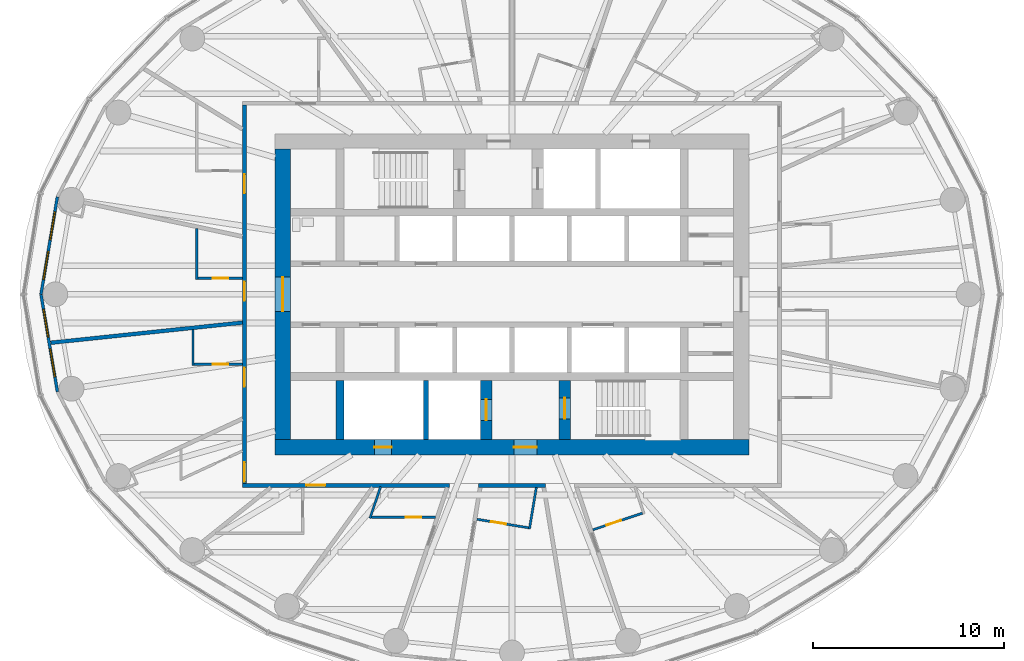
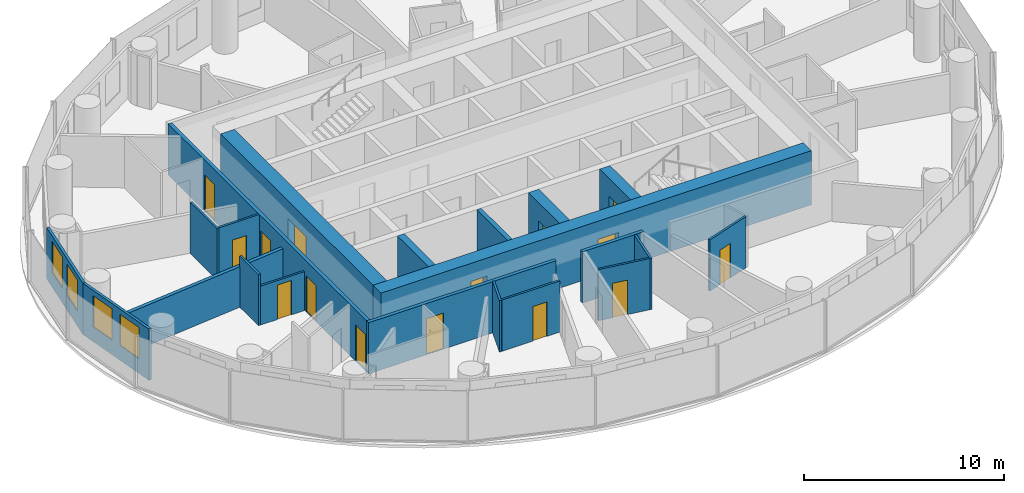
# One storey, part 7 of 14: 21 walls, 15 doors, 4 windows, 19 openings.
"""IFC4 building model written with IfcOpenShell, lengths in metres."""

from ifc_helpers import new_model, si_unit, direction, frame, frame_2d, origin, place, context, subcontext, project, spatial, rectangle, extrude, material, layer, layer_set, type_object, element, fill, save


model = new_model("IFC4")

# Units and contexts
model_context = context("Model", 3, precision=1e-05, world=origin(), true_north=direction((0.0, 1.0)))
body_context = subcontext(model_context, "Body", "Model", "MODEL_VIEW")
ifc_project = project(units=[si_unit("LENGTHUNIT", "METRE"), si_unit("AREAUNIT", "SQUARE_METRE"), si_unit("VOLUMEUNIT", "CUBIC_METRE"), si_unit("PLANEANGLEUNIT", "RADIAN"), si_unit("MASSUNIT", "GRAM", prefix="KILO")], contexts=[model_context])

# Site, building, storey
site_placement = place(None, origin())
site = spatial("IfcSite", under=ifc_project, at=site_placement, CompositionType="ELEMENT")
building_placement = place(site_placement, origin())
building = spatial("IfcBuilding", under=site, at=building_placement, Name="Hankou Lantern Tower", CompositionType="ELEMENT")
storey_placement = place(building_placement, frame((0.0, 0.0, 108.89990234375)))
storey = spatial("IfcBuildingStorey", under=building, at=storey_placement, Name="L27", CompositionType="ELEMENT", Elevation=108.89990234375)

# Wall, openings, doors
ifc_material_1 = material(Name="Concrete C60", Category="concrete")
ifc_layer_1 = layer(ifc_material_1, 0.800048828125)
ifc_layer_set_1 = layer_set([ifc_layer_1], Name="Concrete C60")
wall_type_1 = type_object("IfcWallType", Name="CW2 CORE WALL 800", PredefinedType="SHEAR", material=ifc_layer_set_1)
wall_1_placement = place(storey_placement, frame((12.39990234375, -8.0, 0.0), z_axis=(0.0, 0.0, 1.0), x_axis=(-1.0, 0.0, 0.0)))
wall_1 = element("IfcWall", 1, at=wall_1_placement, inside=storey, type_object=wall_type_1, Name="Core wall south L27", PredefinedType="SHEAR", context=body_context, shape_type="SweptSolid", body=[
    extrude(rectangle(XDim=24.7998046875, YDim=0.800048828125, at=frame_2d((12.39990234375, 0.0))), origin(), (0.0, 0.0, 1.0), 3.300048828125),
])
opening_1_placement = place(wall_1_placement, frame((11.10009765625, 0.0, 0.0)))
opening_1 = element("IfcOpeningElement", 2, at=opening_1_placement, cuts=wall_1, Name="Opening D5", PredefinedType="OPENING", context=body_context, shape_type="SweptSolid", body=[
    extrude(rectangle(XDim=1.199951171875, YDim=2.199951171875, at=frame_2d((0.60009765625, 1.10009765625))), frame((0.0, 0.409912109375, 0.0), z_axis=(0.0, -1.0, 0.0), x_axis=(1.0, 0.0, 0.0)), (0.0, 0.0, 1.0), 0.820068359375),
])
opening_2_placement = place(wall_1_placement, frame((18.699951171875, 0.0, 0.0)))
opening_2 = element("IfcOpeningElement", 3, at=opening_2_placement, cuts=wall_1, Name="Opening D7", PredefinedType="OPENING", context=body_context, shape_type="SweptSolid", body=[
    extrude(rectangle(XDim=0.89990234375, YDim=2.199951171875, at=frame_2d((0.449951171875, 1.10009765625))), frame((0.0, 0.409912109375, 0.0), z_axis=(0.0, -1.0, 0.0), x_axis=(1.0, 0.0, 0.0)), (0.0, 0.0, 1.0), 0.820068359375),
])
ifc_material_2 = material(Name="Steel door leaf", Category="steel")
door_type_1 = type_object("IfcDoorType", Name="D5 STAIR LOBBY DOOR 1200X2200", OperationType="SINGLE_SWING_LEFT", PredefinedType="DOOR", material=ifc_material_2)
door_1_placement = place(opening_1_placement, origin())
door_1 = element("IfcDoor", 4, at=door_1_placement, inside=storey, type_object=door_type_1, Name="Stair B lobby door", OperationType="SINGLE_SWING_LEFT", OverallHeight=2.199951171875, OverallWidth=1.199951171875, PredefinedType="DOOR", context=body_context, shape_type="SweptSolid", body=[
    extrude(rectangle(XDim=1.199951171875, YDim=2.199951171875, at=frame_2d((0.60009765625, 1.10009765625))), frame((0.0, 0.02490234375, 0.0), z_axis=(0.0, -1.0, 0.0), x_axis=(1.0, 0.0, 0.0)), (0.0, 0.0, 1.0), 0.050048828125),
])
fill(opening_1, door_1)
ifc_material_3 = material(Name="Steel door leaf", Category="steel")
door_type_2 = type_object("IfcDoorType", Name="D7 RISER DOOR 900X2200", OperationType="SINGLE_SWING_LEFT", PredefinedType="DOOR", material=ifc_material_3)
door_2_placement = place(opening_2_placement, origin())
door_2 = element("IfcDoor", 5, at=door_2_placement, inside=storey, type_object=door_type_2, Name="Riser S1 door", OperationType="SINGLE_SWING_RIGHT", OverallHeight=2.199951171875, OverallWidth=0.89990234375, PredefinedType="DOOR", context=body_context, shape_type="SweptSolid", body=[
    extrude(rectangle(XDim=0.89990234375, YDim=2.199951171875, at=frame_2d((0.449951171875, 1.10009765625))), frame((0.0, 0.02490234375, 0.0), z_axis=(0.0, -1.0, 0.0), x_axis=(1.0, 0.0, 0.0)), (0.0, 0.0, 1.0), 0.050048828125),
])
fill(opening_2, door_2)

# Wall, opening, door
wall_2_placement = place(storey_placement, frame((-12.0, 7.60009765625, 0.0), z_axis=(0.0, 0.0, 1.0), x_axis=(0.0, -1.0, 0.0)))
wall_2 = element("IfcWall", 6, at=wall_2_placement, inside=storey, type_object=wall_type_1, Name="Core wall west L27", PredefinedType="SHEAR", context=body_context, shape_type="SweptSolid", body=[
    extrude(rectangle(XDim=15.2001953125, YDim=0.800048828125, at=frame_2d((7.60009765625, 0.0))), origin(), (0.0, 0.0, 1.0), 3.300048828125),
])
opening_3_placement = place(wall_2_placement, frame((6.699951171875, 0.0, 0.0)))
opening_3 = element("IfcOpeningElement", 7, at=opening_3_placement, cuts=wall_2, Name="Opening D6", PredefinedType="OPENING", context=body_context, shape_type="SweptSolid", body=[
    extrude(rectangle(XDim=1.800048828125, YDim=2.199951171875, at=frame_2d((0.89990234375, 1.10009765625))), frame((0.0, 0.409912109375, 0.0), z_axis=(0.0, -1.0, 0.0), x_axis=(1.0, 0.0, 0.0)), (0.0, 0.0, 1.0), 0.820068359375),
])
ifc_material_4 = material(Name="Steel door leaf", Category="steel")
door_type_3 = type_object("IfcDoorType", Name="D6 LIFT LOBBY DOOR 1800X2200", OperationType="DOUBLE_DOOR_DOUBLE_SWING", PredefinedType="DOOR", material=ifc_material_4)
door_3_placement = place(opening_3_placement, origin())
door_3 = element("IfcDoor", 8, at=door_3_placement, inside=storey, type_object=door_type_3, Name="Lift lobby west door", OperationType="DOUBLE_DOOR_DOUBLE_SWING", OverallHeight=2.199951171875, OverallWidth=1.800048828125, PredefinedType="DOOR", context=body_context, shape_type="SweptSolid", body=[
    extrude(rectangle(XDim=1.800048828125, YDim=2.199951171875, at=frame_2d((0.89990234375, 1.10009765625))), frame((0.0, 0.02490234375, 0.0), z_axis=(0.0, -1.0, 0.0), x_axis=(1.0, 0.0, 0.0)), (0.0, 0.0, 1.0), 0.050048828125),
])
fill(opening_3, door_3)

# Wall
ifc_material_5 = material(Name="Concrete C60", Category="concrete")
ifc_layer_2 = layer(ifc_material_5, 0.39990234375)
ifc_layer_set_2 = layer_set([ifc_layer_2], Name="Concrete C60")
wall_type_2 = type_object("IfcWallType", Name="CW4 CORE CROSS WALL 400", PredefinedType="SHEAR", material=ifc_layer_set_2)
wall_3_placement = place(storey_placement, frame((-9.0, -7.60009765625, 0.0), z_axis=(0.0, 0.0, 1.0), x_axis=(0.0, 1.0, 0.0)))
element("IfcWall", 9, at=wall_3_placement, inside=storey, type_object=wall_type_2, Name="Core strip wall L27", PredefinedType="SHEAR", context=body_context, shape_type="SweptSolid", body=[
    extrude(rectangle(XDim=3.10009765625, YDim=0.39990234375, at=frame_2d((1.550048828125, 0.0))), origin(), (0.0, 0.0, 1.0), 3.300048828125),
])

# Wall, opening, door
ifc_material_6 = material(Name="Concrete C60", Category="concrete")
ifc_layer_3 = layer(ifc_material_6, 0.60009765625)
ifc_layer_set_3 = layer_set([ifc_layer_3], Name="Concrete C60")
wall_type_3 = type_object("IfcWallType", Name="CW6 STAIR AND SHAFT WALL 600", PredefinedType="SHEAR", material=ifc_layer_set_3)
wall_4_placement = place(storey_placement, frame((2.75, -7.60009765625, 0.0), z_axis=(0.0, 0.0, 1.0), x_axis=(0.0, 1.0, 0.0)))
wall_4 = element("IfcWall", 10, at=wall_4_placement, inside=storey, type_object=wall_type_3, Name="Stair wall L27", PredefinedType="SHEAR", context=body_context, shape_type="SweptSolid", body=[
    extrude(rectangle(XDim=3.10009765625, YDim=0.60009765625, at=frame_2d((1.550048828125, 0.0))), origin(), (0.0, 0.0, 1.0), 3.300048828125),
])
opening_4_placement = place(wall_4_placement, frame((1.074951171875, 0.0, 0.0)))
opening_4 = element("IfcOpeningElement", 11, at=opening_4_placement, cuts=wall_4, Name="Opening D4", PredefinedType="OPENING", context=body_context, shape_type="SweptSolid", body=[
    extrude(rectangle(XDim=1.10009765625, YDim=2.199951171875, at=frame_2d((0.550048828125, 1.10009765625))), frame((0.0, 0.31005859375, 0.0), z_axis=(0.0, -1.0, 0.0), x_axis=(1.0, 0.0, 0.0)), (0.0, 0.0, 1.0), 0.6201171875),
])
ifc_material_7 = material(Name="Steel door leaf", Category="steel")
door_type_4 = type_object("IfcDoorType", Name="D4 STAIR DOOR 1100X2200", OperationType="SINGLE_SWING_LEFT", PredefinedType="DOOR", material=ifc_material_7)
door_4_placement = place(opening_4_placement, origin())
door_4 = element("IfcDoor", 12, at=door_4_placement, inside=storey, type_object=door_type_4, Name="Stair B door", OperationType="SINGLE_SWING_RIGHT", OverallHeight=2.199951171875, OverallWidth=1.10009765625, PredefinedType="DOOR", context=body_context, shape_type="SweptSolid", body=[
    extrude(rectangle(XDim=1.10009765625, YDim=2.199951171875, at=frame_2d((0.550048828125, 1.10009765625))), frame((0.0, 0.02490234375, 0.0), z_axis=(0.0, -1.0, 0.0), x_axis=(1.0, 0.0, 0.0)), (0.0, 0.0, 1.0), 0.050048828125),
])
fill(opening_4, door_4)

wall_5_placement = place(storey_placement, frame((-1.35009765625, -7.60009765625, 0.0), z_axis=(0.0, 0.0, 1.0), x_axis=(0.0, 1.0, 0.0)))
wall_5 = element("IfcWall", 13, at=wall_5_placement, inside=storey, type_object=wall_type_3, Name="Firefighting lift shaft wall L27", PredefinedType="SHEAR", context=body_context, shape_type="SweptSolid", body=[
    extrude(rectangle(XDim=3.10009765625, YDim=0.60009765625, at=frame_2d((1.550048828125, 0.0))), origin(), (0.0, 0.0, 1.0), 3.300048828125),
])
opening_5_placement = place(wall_5_placement, frame((1.0, 0.0, 0.0)))
opening_5 = element("IfcOpeningElement", 14, at=opening_5_placement, cuts=wall_5, Name="Opening LD2", PredefinedType="OPENING", context=body_context, shape_type="SweptSolid", body=[
    extrude(rectangle(XDim=1.10009765625, YDim=2.199951171875, at=frame_2d((0.550048828125, 1.10009765625))), frame((0.0, 0.31005859375, 0.0), z_axis=(0.0, -1.0, 0.0), x_axis=(1.0, 0.0, 0.0)), (0.0, 0.0, 1.0), 0.6201171875),
])
ifc_material_8 = material(Name="Steel door leaf", Category="steel")
door_type_5 = type_object("IfcDoorType", Name="LD2 FIREFIGHTING LIFT LANDING DOOR 1100X2200", OperationType="DOUBLE_DOOR_SLIDING", PredefinedType="DOOR", material=ifc_material_8)
door_5_placement = place(opening_5_placement, origin())
door_5 = element("IfcDoor", 15, at=door_5_placement, inside=storey, type_object=door_type_5, Name="Firefighting lift FL2 landing door", OperationType="DOUBLE_DOOR_SLIDING", OverallHeight=2.199951171875, OverallWidth=1.10009765625, PredefinedType="DOOR", context=body_context, shape_type="SweptSolid", body=[
    extrude(rectangle(XDim=1.10009765625, YDim=2.199951171875, at=frame_2d((0.550048828125, 1.10009765625))), frame((0.0, 0.02490234375, 0.0), z_axis=(0.0, -1.0, 0.0), x_axis=(1.0, 0.0, 0.0)), (0.0, 0.0, 1.0), 0.050048828125),
])
fill(opening_5, door_5)

# Wall, openings, windows
ifc_material_9 = material(Name="Aluminium spandrel panel on steel studs", Category="steel")
ifc_layer_4 = layer(ifc_material_9, 0.14990234375)
ifc_layer_set_4 = layer_set([ifc_layer_4], Name="Aluminium spandrel panel on steel studs")
wall_type_4 = type_object("IfcWallType", Name="EW1 INNER SKIN WALL 150", PredefinedType="ELEMENTEDWALL", material=ifc_layer_set_4)
wall_6_placement = place(storey_placement, frame((-23.7919921875, 5.10009765625, 0.0), z_axis=(0.0, 0.0, 1.0), x_axis=(-0.165883894218, -0.986145290329, 0.0)))
wall_6 = element("IfcWall", 16, at=wall_6_placement, inside=storey, type_object=wall_type_4, Name="Inner skin R12-R13 L27", PredefinedType="ELEMENTEDWALL", context=body_context, shape_type="SweptSolid", body=[
    extrude(rectangle(XDim=5.171630859375, YDim=0.14990234375, at=frame_2d((2.5859375, 0.0))), origin(), (0.0, 0.0, 1.0), 3.1201171875),
])
opening_6_placement = place(wall_6_placement, frame((0.785888671875, 0.0, 0.89990234375)))
opening_6 = element("IfcOpeningElement", 17, at=opening_6_placement, cuts=wall_6, Name="Opening W2", PredefinedType="OPENING", context=body_context, shape_type="SweptSolid", body=[
    extrude(rectangle(XDim=1.5, YDim=1.89990234375, at=frame_2d((0.75, 0.949951171875))), frame((0.0, 0.0849609375, 0.0), z_axis=(0.0, -1.0, 0.0), x_axis=(1.0, 0.0, 0.0)), (0.0, 0.0, 1.0), 0.169921875),
])
opening_7_placement = place(wall_6_placement, frame((2.8857421875, 0.0, 0.89990234375)))
opening_7 = element("IfcOpeningElement", 18, at=opening_7_placement, cuts=wall_6, Name="Opening W2", PredefinedType="OPENING", context=body_context, shape_type="SweptSolid", body=[
    extrude(rectangle(XDim=1.5, YDim=1.89990234375, at=frame_2d((0.75, 0.949951171875))), frame((0.0, 0.0849609375, 0.0), z_axis=(0.0, -1.0, 0.0), x_axis=(1.0, 0.0, 0.0)), (0.0, 0.0, 1.0), 0.169921875),
])
ifc_material_10 = material(Name="Aluminium framed double glazed window", Category="aluminium")
window_type = type_object("IfcWindowType", Name="W2 GUEST ROOM WINDOW 1500X1900", PartitioningType="DOUBLE_PANEL_VERTICAL", PredefinedType="WINDOW", material=ifc_material_10)
window_1_placement = place(opening_6_placement, origin())
window_1 = element("IfcWindow", 19, at=window_1_placement, inside=storey, type_object=window_type, Name="Window R12.1 L27", OverallHeight=1.89990234375, OverallWidth=1.5, PartitioningType="SINGLE_PANEL", PredefinedType="WINDOW", context=body_context, shape_type="SweptSolid", body=[
    extrude(rectangle(XDim=1.5, YDim=1.89990234375, at=frame_2d((0.75, 0.949951171875))), frame((0.0, 0.030029296875, 0.0), z_axis=(0.0, -1.0, 0.0), x_axis=(1.0, 0.0, 0.0)), (0.0, 0.0, 1.0), 0.06005859375),
])
fill(opening_6, window_1)
window_2_placement = place(opening_7_placement, origin())
window_2 = element("IfcWindow", 20, at=window_2_placement, inside=storey, type_object=window_type, Name="Window R12.2 L27", OverallHeight=1.89990234375, OverallWidth=1.5, PartitioningType="SINGLE_PANEL", PredefinedType="WINDOW", context=body_context, shape_type="SweptSolid", body=[
    extrude(rectangle(XDim=1.5, YDim=1.89990234375, at=frame_2d((0.75, 0.949951171875))), frame((0.0, 0.030029296875, 0.0), z_axis=(0.0, -1.0, 0.0), x_axis=(1.0, 0.0, 0.0)), (0.0, 0.0, 1.0), 0.06005859375),
])
fill(opening_7, window_2)

wall_7_placement = place(storey_placement, frame((-24.64990234375, 0.0, 0.0), z_axis=(0.0, 0.0, 1.0), x_axis=(0.165883894218, -0.986145290329, 0.0)))
wall_7 = element("IfcWall", 21, at=wall_7_placement, inside=storey, type_object=wall_type_4, Name="Inner skin R13-R14 L27", PredefinedType="ELEMENTEDWALL", context=body_context, shape_type="SweptSolid", body=[
    extrude(rectangle(XDim=5.171630859375, YDim=0.14990234375, at=frame_2d((2.5859375, 0.0))), origin(), (0.0, 0.0, 1.0), 3.1201171875),
])
opening_8_placement = place(wall_7_placement, frame((0.785888671875, 0.0, 0.89990234375)))
opening_8 = element("IfcOpeningElement", 22, at=opening_8_placement, cuts=wall_7, Name="Opening W2", PredefinedType="OPENING", context=body_context, shape_type="SweptSolid", body=[
    extrude(rectangle(XDim=1.5, YDim=1.89990234375, at=frame_2d((0.75, 0.949951171875))), frame((0.0, 0.0849609375, 0.0), z_axis=(0.0, -1.0, 0.0), x_axis=(1.0, 0.0, 0.0)), (0.0, 0.0, 1.0), 0.169921875),
])
opening_9_placement = place(wall_7_placement, frame((2.8857421875, 0.0, 0.89990234375)))
opening_9 = element("IfcOpeningElement", 23, at=opening_9_placement, cuts=wall_7, Name="Opening W2", PredefinedType="OPENING", context=body_context, shape_type="SweptSolid", body=[
    extrude(rectangle(XDim=1.5, YDim=1.89990234375, at=frame_2d((0.75, 0.949951171875))), frame((0.0, 0.0849609375, 0.0), z_axis=(0.0, -1.0, 0.0), x_axis=(1.0, 0.0, 0.0)), (0.0, 0.0, 1.0), 0.169921875),
])
window_3_placement = place(opening_8_placement, origin())
window_3 = element("IfcWindow", 24, at=window_3_placement, inside=storey, type_object=window_type, Name="Window R13.1 L27", OverallHeight=1.89990234375, OverallWidth=1.5, PartitioningType="SINGLE_PANEL", PredefinedType="WINDOW", context=body_context, shape_type="SweptSolid", body=[
    extrude(rectangle(XDim=1.5, YDim=1.89990234375, at=frame_2d((0.75, 0.949951171875))), frame((0.0, 0.030029296875, 0.0), z_axis=(0.0, -1.0, 0.0), x_axis=(1.0, 0.0, 0.0)), (0.0, 0.0, 1.0), 0.06005859375),
])
fill(opening_8, window_3)
window_4_placement = place(opening_9_placement, origin())
window_4 = element("IfcWindow", 25, at=window_4_placement, inside=storey, type_object=window_type, Name="Window R13.2 L27", OverallHeight=1.89990234375, OverallWidth=1.5, PartitioningType="SINGLE_PANEL", PredefinedType="WINDOW", context=body_context, shape_type="SweptSolid", body=[
    extrude(rectangle(XDim=1.5, YDim=1.89990234375, at=frame_2d((0.75, 0.949951171875))), frame((0.0, 0.030029296875, 0.0), z_axis=(0.0, -1.0, 0.0), x_axis=(1.0, 0.0, 0.0)), (0.0, 0.0, 1.0), 0.06005859375),
])
fill(opening_9, window_4)

# Wall
ifc_material_11 = material(Name="Masonry lightweight concrete block", Category="masonry")
ifc_layer_5 = layer(ifc_material_11, 0.199951171875)
ifc_layer_set_5 = layer_set([ifc_layer_5], Name="Masonry lightweight concrete block")
wall_type_5 = type_object("IfcWallType", Name="IW1 GUEST ROOM PARTY WALL 200", PredefinedType="PARTITIONING", material=ifc_layer_set_5)
wall_8_placement = place(storey_placement, frame((-14.10009765625, -1.481689453125, 0.0), z_axis=(0.0, 0.0, 1.0), x_axis=(-0.994523202615, -0.104516024894, 0.0)))
element("IfcWall", 26, at=wall_8_placement, inside=storey, type_object=wall_type_5, Name="Party wall R13-R14", PredefinedType="PARTITIONING", context=body_context, shape_type="SweptSolid", body=[
    extrude(rectangle(XDim=10.091064453125, YDim=0.199951171875, at=frame_2d((5.04541015625, 0.0))), origin(), (0.0, 0.0, 1.0), 2.47021484375),
])

# Wall, openings, doors
ifc_material_12 = material(Name="Masonry lightweight concrete block", Category="masonry")
ifc_layer_6 = layer(ifc_material_12, 0.199951171875)
ifc_layer_set_6 = layer_set([ifc_layer_6], Name="Masonry lightweight concrete block")
wall_type_6 = type_object("IfcWallType", Name="IW2 CORRIDOR WALL 200", PredefinedType="PARTITIONING", material=ifc_layer_set_6)
wall_9_placement = place(storey_placement, frame((-14.0, 9.89990234375, 0.0), z_axis=(0.0, 0.0, 1.0), x_axis=(0.0, -1.0, 0.0)))
wall_9 = element("IfcWall", 27, at=wall_9_placement, inside=storey, type_object=wall_type_6, Name="Corridor wall west", PredefinedType="PARTITIONING", context=body_context, shape_type="SweptSolid", body=[
    extrude(rectangle(XDim=19.7998046875, YDim=0.199951171875, at=frame_2d((9.89990234375, 0.0))), origin(), (0.0, 0.0, 1.0), 3.1201171875),
])
opening_10_placement = place(wall_9_placement, frame((3.622314453125, 0.0, 0.0)))
opening_10 = element("IfcOpeningElement", 28, at=opening_10_placement, cuts=wall_9, Name="Opening D1", PredefinedType="OPENING", context=body_context, shape_type="SweptSolid", body=[
    extrude(rectangle(XDim=1.0, YDim=2.199951171875, at=frame_2d((0.5, 1.10009765625))), frame((0.0, 0.10986328125, 0.0), z_axis=(0.0, -1.0, 0.0), x_axis=(1.0, 0.0, 0.0)), (0.0, 0.0, 1.0), 0.219970703125),
])
opening_11_placement = place(wall_9_placement, frame((9.237548828125, 0.0, 0.0)))
opening_11 = element("IfcOpeningElement", 29, at=opening_11_placement, cuts=wall_9, Name="Opening D1", PredefinedType="OPENING", context=body_context, shape_type="SweptSolid", body=[
    extrude(rectangle(XDim=1.0, YDim=2.199951171875, at=frame_2d((0.5, 1.10009765625))), frame((0.0, 0.10986328125, 0.0), z_axis=(0.0, -1.0, 0.0), x_axis=(1.0, 0.0, 0.0)), (0.0, 0.0, 1.0), 0.219970703125),
])
opening_12_placement = place(wall_9_placement, frame((13.74169921875, 0.0, 0.0)))
opening_12 = element("IfcOpeningElement", 30, at=opening_12_placement, cuts=wall_9, Name="Opening D1", PredefinedType="OPENING", context=body_context, shape_type="SweptSolid", body=[
    extrude(rectangle(XDim=1.0, YDim=2.199951171875, at=frame_2d((0.5, 1.10009765625))), frame((0.0, 0.10986328125, 0.0), z_axis=(0.0, -1.0, 0.0), x_axis=(1.0, 0.0, 0.0)), (0.0, 0.0, 1.0), 0.219970703125),
])
opening_13_placement = place(wall_9_placement, frame((18.697509765625, 0.0, 0.0)))
opening_13 = element("IfcOpeningElement", 31, at=opening_13_placement, cuts=wall_9, Name="Opening D1", PredefinedType="OPENING", context=body_context, shape_type="SweptSolid", body=[
    extrude(rectangle(XDim=1.0, YDim=2.199951171875, at=frame_2d((0.5, 1.10009765625))), frame((0.0, 0.10986328125, 0.0), z_axis=(0.0, -1.0, 0.0), x_axis=(1.0, 0.0, 0.0)), (0.0, 0.0, 1.0), 0.219970703125),
])
ifc_material_13 = material(Name="Steel door leaf", Category="steel")
door_type_6 = type_object("IfcDoorType", Name="D1 GUEST ROOM DOOR 1000X2200", OperationType="SINGLE_SWING_LEFT", PredefinedType="DOOR", material=ifc_material_13)
door_6_placement = place(opening_10_placement, origin())
door_6 = element("IfcDoor", 32, at=door_6_placement, inside=storey, type_object=door_type_6, Name="Guest room door 2706", OperationType="SINGLE_SWING_LEFT", OverallHeight=2.199951171875, OverallWidth=1.0, PredefinedType="DOOR", context=body_context, shape_type="SweptSolid", body=[
    extrude(rectangle(XDim=1.0, YDim=2.199951171875, at=frame_2d((0.5, 1.10009765625))), frame((0.0, 0.02490234375, 0.0), z_axis=(0.0, -1.0, 0.0), x_axis=(1.0, 0.0, 0.0)), (0.0, 0.0, 1.0), 0.050048828125),
])
fill(opening_10, door_6)
door_7_placement = place(opening_11_placement, origin())
door_7 = element("IfcDoor", 33, at=door_7_placement, inside=storey, type_object=door_type_6, Name="Guest room door 2707", OperationType="SINGLE_SWING_LEFT", OverallHeight=2.199951171875, OverallWidth=1.0, PredefinedType="DOOR", context=body_context, shape_type="SweptSolid", body=[
    extrude(rectangle(XDim=1.0, YDim=2.199951171875, at=frame_2d((0.5, 1.10009765625))), frame((0.0, 0.02490234375, 0.0), z_axis=(0.0, -1.0, 0.0), x_axis=(1.0, 0.0, 0.0)), (0.0, 0.0, 1.0), 0.050048828125),
])
fill(opening_11, door_7)
door_8_placement = place(opening_12_placement, origin())
door_8 = element("IfcDoor", 34, at=door_8_placement, inside=storey, type_object=door_type_6, Name="Guest room door 2708", OperationType="SINGLE_SWING_RIGHT", OverallHeight=2.199951171875, OverallWidth=1.0, PredefinedType="DOOR", context=body_context, shape_type="SweptSolid", body=[
    extrude(rectangle(XDim=1.0, YDim=2.199951171875, at=frame_2d((0.5, 1.10009765625))), frame((0.0, 0.02490234375, 0.0), z_axis=(0.0, -1.0, 0.0), x_axis=(1.0, 0.0, 0.0)), (0.0, 0.0, 1.0), 0.050048828125),
])
fill(opening_12, door_8)
door_9_placement = place(opening_13_placement, origin())
door_9 = element("IfcDoor", 35, at=door_9_placement, inside=storey, type_object=door_type_6, Name="Guest room door 2709", OperationType="SINGLE_SWING_RIGHT", OverallHeight=2.199951171875, OverallWidth=1.0, PredefinedType="DOOR", context=body_context, shape_type="SweptSolid", body=[
    extrude(rectangle(XDim=1.0, YDim=2.199951171875, at=frame_2d((0.5, 1.10009765625))), frame((0.0, 0.02490234375, 0.0), z_axis=(0.0, -1.0, 0.0), x_axis=(1.0, 0.0, 0.0)), (0.0, 0.0, 1.0), 0.050048828125),
])
fill(opening_13, door_9)

# Wall
wall_10_placement = place(storey_placement, frame((1.76513671875, -10.0, 0.0), z_axis=(0.0, 0.0, 1.0), x_axis=(-1.0, 0.0, 0.0)))
element("IfcWall", 36, at=wall_10_placement, inside=storey, type_object=wall_type_6, Name="Corridor wall south", PredefinedType="PARTITIONING", context=body_context, shape_type="SweptSolid", body=[
    extrude(rectangle(XDim=3.5302734375, YDim=0.199951171875, at=frame_2d((1.76513671875, 0.0))), origin(), (0.0, 0.0, 1.0), 3.1201171875),
])

# Wall, opening, door
wall_11_placement = place(storey_placement, frame((-3.282958984375, -10.0, 0.0), z_axis=(0.0, 0.0, 1.0), x_axis=(-1.0, 0.0, 0.0)))
wall_11 = element("IfcWall", 37, at=wall_11_placement, inside=storey, type_object=wall_type_6, Name="Corridor wall south", PredefinedType="PARTITIONING", context=body_context, shape_type="SweptSolid", body=[
    extrude(rectangle(XDim=10.817138671875, YDim=0.199951171875, at=frame_2d((5.40869140625, 0.0))), origin(), (0.0, 0.0, 1.0), 3.1201171875),
])
opening_14_placement = place(wall_11_placement, frame((6.482177734375, 0.0, 0.0)))
opening_14 = element("IfcOpeningElement", 38, at=opening_14_placement, cuts=wall_11, Name="Opening D1", PredefinedType="OPENING", context=body_context, shape_type="SweptSolid", body=[
    extrude(rectangle(XDim=1.0, YDim=2.199951171875, at=frame_2d((0.5, 1.10009765625))), frame((0.0, 0.10986328125, 0.0), z_axis=(0.0, -1.0, 0.0), x_axis=(1.0, 0.0, 0.0)), (0.0, 0.0, 1.0), 0.219970703125),
])
door_10_placement = place(opening_14_placement, origin())
door_10 = element("IfcDoor", 39, at=door_10_placement, inside=storey, type_object=door_type_6, Name="Guest room door 2710", OperationType="SINGLE_SWING_RIGHT", OverallHeight=2.199951171875, OverallWidth=1.0, PredefinedType="DOOR", context=body_context, shape_type="SweptSolid", body=[
    extrude(rectangle(XDim=1.0, YDim=2.199951171875, at=frame_2d((0.5, 1.10009765625))), frame((0.0, 0.02490234375, 0.0), z_axis=(0.0, -1.0, 0.0), x_axis=(1.0, 0.0, 0.0)), (0.0, 0.0, 1.0), 0.050048828125),
])
fill(opening_14, door_10)

# Wall
ifc_material_14 = material(Name="Masonry lightweight concrete block", Category="masonry")
ifc_layer_7 = layer(ifc_material_14, 0.1201171875)
ifc_layer_set_7 = layer_set([ifc_layer_7], Name="Masonry lightweight concrete block")
wall_type_7 = type_object("IfcWallType", Name="IW3 BATHROOM WALL 120", PredefinedType="PARTITIONING", material=ifc_layer_set_7)
wall_12_placement = place(storey_placement, frame((-16.5, 3.43701171875, 0.0), z_axis=(0.0, 0.0, 1.0), x_axis=(0.0, -1.0, 0.0)))
element("IfcWall", 40, at=wall_12_placement, inside=storey, type_object=wall_type_7, Name="Box wall 2707 1", PredefinedType="PARTITIONING", context=body_context, shape_type="SweptSolid", body=[
    extrude(rectangle(XDim=2.654541015625, YDim=0.1201171875, at=frame_2d((1.3271484375, 0.0))), origin(), (0.0, 0.0, 1.0), 3.1201171875),
])

# Wall, opening, door
wall_13_placement = place(storey_placement, frame((-14.10009765625, 0.842529296875, 0.0), z_axis=(0.0, 0.0, 1.0), x_axis=(-1.0, 0.0, 0.0)))
wall_13 = element("IfcWall", 41, at=wall_13_placement, inside=storey, type_object=wall_type_7, Name="Box wall 2707 1", PredefinedType="PARTITIONING", context=body_context, shape_type="SweptSolid", body=[
    extrude(rectangle(XDim=2.33984375, YDim=0.1201171875, at=frame_2d((1.169921875, 0.0))), origin(), (0.0, 0.0, 1.0), 3.1201171875),
])
opening_15_placement = place(wall_13_placement, frame((0.75, 0.0, 0.0)))
opening_15 = element("IfcOpeningElement", 42, at=opening_15_placement, cuts=wall_13, Name="Opening D3", PredefinedType="OPENING", context=body_context, shape_type="SweptSolid", body=[
    extrude(rectangle(XDim=0.800048828125, YDim=2.10009765625, at=frame_2d((0.39990234375, 1.050048828125))), frame((0.0, 0.070068359375, 0.0), z_axis=(0.0, -1.0, 0.0), x_axis=(1.0, 0.0, 0.0)), (0.0, 0.0, 1.0), 0.14013671875),
])
ifc_material_15 = material(Name="Timber door leaf", Category="wood")
door_type_7 = type_object("IfcDoorType", Name="D3 BATHROOM DOOR 800X2100", OperationType="SINGLE_SWING_LEFT", PredefinedType="DOOR", material=ifc_material_15)
door_11_placement = place(opening_15_placement, origin())
door_11 = element("IfcDoor", 43, at=door_11_placement, inside=storey, type_object=door_type_7, Name="En-suite bathroom 2707 door", OperationType="SINGLE_SWING_LEFT", OverallHeight=2.10009765625, OverallWidth=0.800048828125, PredefinedType="DOOR", context=body_context, shape_type="SweptSolid", body=[
    extrude(rectangle(XDim=0.800048828125, YDim=2.10009765625, at=frame_2d((0.39990234375, 1.050048828125))), frame((0.0, 0.02490234375, 0.0), z_axis=(0.0, -1.0, 0.0), x_axis=(1.0, 0.0, 0.0)), (0.0, 0.0, 1.0), 0.050048828125),
])
fill(opening_15, door_11)

# Wall
wall_14_placement = place(storey_placement, frame((-16.699951171875, -1.85498046875, 0.0), z_axis=(0.0, 0.0, 1.0), x_axis=(0.0, -1.0, 0.0)))
element("IfcWall", 44, at=wall_14_placement, inside=storey, type_object=wall_type_7, Name="Box wall 2708 1", PredefinedType="PARTITIONING", context=body_context, shape_type="SweptSolid", body=[
    extrude(rectangle(XDim=1.86669921875, YDim=0.1201171875, at=frame_2d((0.933349609375, 0.0))), origin(), (0.0, 0.0, 1.0), 3.1201171875),
])

# Wall, opening, door
wall_15_placement = place(storey_placement, frame((-14.10009765625, -3.661865234375, 0.0), z_axis=(0.0, 0.0, 1.0), x_axis=(-1.0, 0.0, 0.0)))
wall_15 = element("IfcWall", 45, at=wall_15_placement, inside=storey, type_object=wall_type_7, Name="Box wall 2708 1", PredefinedType="PARTITIONING", context=body_context, shape_type="SweptSolid", body=[
    extrude(rectangle(XDim=2.539794921875, YDim=0.1201171875, at=frame_2d((1.27001953125, 0.0))), origin(), (0.0, 0.0, 1.0), 2.3701171875),
])
opening_16_placement = place(wall_15_placement, frame((0.75, 0.0, 0.0)))
opening_16 = element("IfcOpeningElement", 46, at=opening_16_placement, cuts=wall_15, Name="Opening D3", PredefinedType="OPENING", context=body_context, shape_type="SweptSolid", body=[
    extrude(rectangle(XDim=0.800048828125, YDim=2.10009765625, at=frame_2d((0.39990234375, 1.050048828125))), frame((0.0, 0.070068359375, 0.0), z_axis=(0.0, -1.0, 0.0), x_axis=(1.0, 0.0, 0.0)), (0.0, 0.0, 1.0), 0.14013671875),
])
door_12_placement = place(opening_16_placement, origin())
door_12 = element("IfcDoor", 47, at=door_12_placement, inside=storey, type_object=door_type_7, Name="En-suite bathroom 2708 door", OperationType="SINGLE_SWING_LEFT", OverallHeight=2.10009765625, OverallWidth=0.800048828125, PredefinedType="DOOR", context=body_context, shape_type="SweptSolid", body=[
    extrude(rectangle(XDim=0.800048828125, YDim=2.10009765625, at=frame_2d((0.39990234375, 1.050048828125))), frame((0.0, 0.02490234375, 0.0), z_axis=(0.0, -1.0, 0.0), x_axis=(1.0, 0.0, 0.0)), (0.0, 0.0, 1.0), 0.050048828125),
])
fill(opening_16, door_12)

# Wall
wall_16_placement = place(storey_placement, frame((-6.877685546875, -10.068359375, 0.0), z_axis=(0.0, 0.0, 1.0), x_axis=(-0.317532394508, -0.948247424694, 0.0)))
element("IfcWall", 48, at=wall_16_placement, inside=storey, type_object=wall_type_7, Name="Box wall 2711 1", PredefinedType="PARTITIONING", context=body_context, shape_type="SweptSolid", body=[
    extrude(rectangle(XDim=1.739990234375, YDim=0.1201171875, at=frame_2d((0.8701171875, 0.0))), origin(), (0.0, 0.0, 1.0), 3.1201171875),
])

# Wall, opening, door
wall_17_placement = place(storey_placement, frame((-4.01123046875, -11.661376953125, 0.0), z_axis=(0.0, 0.0, 1.0), x_axis=(-1.0, 0.0, 0.0)))
wall_17 = element("IfcWall", 49, at=wall_17_placement, inside=storey, type_object=wall_type_7, Name="Box wall 2711 1", PredefinedType="PARTITIONING", context=body_context, shape_type="SweptSolid", body=[
    extrude(rectangle(XDim=3.340087890625, YDim=0.1201171875, at=frame_2d((1.669921875, 0.0))), origin(), (0.0, 0.0, 1.0), 3.1201171875),
])
opening_17_placement = place(wall_17_placement, frame((0.75, 0.0, 0.0)))
opening_17 = element("IfcOpeningElement", 50, at=opening_17_placement, cuts=wall_17, Name="Opening D3", PredefinedType="OPENING", context=body_context, shape_type="SweptSolid", body=[
    extrude(rectangle(XDim=0.800048828125, YDim=2.10009765625, at=frame_2d((0.39990234375, 1.050048828125))), frame((0.0, 0.070068359375, 0.0), z_axis=(0.0, -1.0, 0.0), x_axis=(1.0, 0.0, 0.0)), (0.0, 0.0, 1.0), 0.14013671875),
])
door_13_placement = place(opening_17_placement, origin())
door_13 = element("IfcDoor", 51, at=door_13_placement, inside=storey, type_object=door_type_7, Name="En-suite bathroom 2711 door", OperationType="SINGLE_SWING_LEFT", OverallHeight=2.10009765625, OverallWidth=0.800048828125, PredefinedType="DOOR", context=body_context, shape_type="SweptSolid", body=[
    extrude(rectangle(XDim=0.800048828125, YDim=2.10009765625, at=frame_2d((0.39990234375, 1.050048828125))), frame((0.0, 0.02490234375, 0.0), z_axis=(0.0, -1.0, 0.0), x_axis=(1.0, 0.0, 0.0)), (0.0, 0.0, 1.0), 0.050048828125),
])
fill(opening_17, door_13)

# Wall
wall_18_placement = place(storey_placement, frame((1.271240234375, -10.1162109375, 0.0), z_axis=(0.0, 0.0, 1.0), x_axis=(-0.162672481395, -0.986680122328, 0.0)))
element("IfcWall", 52, at=wall_18_placement, inside=storey, type_object=wall_type_7, Name="Box wall 2713 1", PredefinedType="PARTITIONING", context=body_context, shape_type="SweptSolid", body=[
    extrude(rectangle(XDim=2.20166015625, YDim=0.1201171875, at=frame_2d((1.100830078125, 0.0))), origin(), (0.0, 0.0, 1.0), 3.1201171875),
])

# Wall, opening, door
wall_19_placement = place(storey_placement, frame((-1.83984375, -11.77392578125, 0.0), z_axis=(0.0, 0.0, 1.0), x_axis=(0.986676602341, -0.162693830222, 0.0)))
wall_19 = element("IfcWall", 53, at=wall_19_placement, inside=storey, type_object=wall_type_7, Name="Box wall 2713 1", PredefinedType="PARTITIONING", context=body_context, shape_type="SweptSolid", body=[
    extrude(rectangle(XDim=2.740234375, YDim=0.1201171875, at=frame_2d((1.3701171875, 0.0))), origin(), (0.0, 0.0, 1.0), 3.1201171875),
])
opening_18_placement = place(wall_19_placement, frame((0.75, 0.0, 0.0)))
opening_18 = element("IfcOpeningElement", 54, at=opening_18_placement, cuts=wall_19, Name="Opening D3", PredefinedType="OPENING", context=body_context, shape_type="SweptSolid", body=[
    extrude(rectangle(XDim=0.800048828125, YDim=2.10009765625, at=frame_2d((0.39990234375, 1.050048828125))), frame((0.0, 0.070068359375, 0.0), z_axis=(0.0, -1.0, 0.0), x_axis=(1.0, 0.0, 0.0)), (0.0, 0.0, 1.0), 0.14013671875),
])
door_14_placement = place(opening_18_placement, origin())
door_14 = element("IfcDoor", 55, at=door_14_placement, inside=storey, type_object=door_type_7, Name="En-suite bathroom 2713 door", OperationType="SINGLE_SWING_LEFT", OverallHeight=2.10009765625, OverallWidth=0.800048828125, PredefinedType="DOOR", context=body_context, shape_type="SweptSolid", body=[
    extrude(rectangle(XDim=0.800048828125, YDim=2.10009765625, at=frame_2d((0.39990234375, 1.050048828125))), frame((0.0, 0.02490234375, 0.0), z_axis=(0.0, -1.0, 0.0), x_axis=(1.0, 0.0, 0.0)), (0.0, 0.0, 1.0), 0.050048828125),
])
fill(opening_18, door_14)

wall_20_placement = place(storey_placement, frame((4.233642578125, -12.324951171875, 0.0), z_axis=(0.0, 0.0, 1.0), x_axis=(0.948236840279, 0.317564001011, 0.0)))
wall_20 = element("IfcWall", 56, at=wall_20_placement, inside=storey, type_object=wall_type_7, Name="Box wall 2715 1", PredefinedType="PARTITIONING", context=body_context, shape_type="SweptSolid", body=[
    extrude(rectangle(XDim=2.739990234375, YDim=0.1201171875, at=frame_2d((1.3701171875, 0.0))), origin(), (0.0, 0.0, 1.0), 3.1201171875),
])
opening_19_placement = place(wall_20_placement, frame((0.75, 0.0, 0.0)))
opening_19 = element("IfcOpeningElement", 57, at=opening_19_placement, cuts=wall_20, Name="Opening D3", PredefinedType="OPENING", context=body_context, shape_type="SweptSolid", body=[
    extrude(rectangle(XDim=0.800048828125, YDim=2.10009765625, at=frame_2d((0.39990234375, 1.050048828125))), frame((0.0, 0.070068359375, 0.0), z_axis=(0.0, -1.0, 0.0), x_axis=(1.0, 0.0, 0.0)), (0.0, 0.0, 1.0), 0.14013671875),
])
door_15_placement = place(opening_19_placement, origin())
door_15 = element("IfcDoor", 58, at=door_15_placement, inside=storey, type_object=door_type_7, Name="Junior suite 2715 bathroom door", OperationType="SINGLE_SWING_LEFT", OverallHeight=2.10009765625, OverallWidth=0.800048828125, PredefinedType="DOOR", context=body_context, shape_type="SweptSolid", body=[
    extrude(rectangle(XDim=0.800048828125, YDim=2.10009765625, at=frame_2d((0.39990234375, 1.050048828125))), frame((0.0, 0.02490234375, 0.0), z_axis=(0.0, -1.0, 0.0), x_axis=(1.0, 0.0, 0.0)), (0.0, 0.0, 1.0), 0.050048828125),
])
fill(opening_19, door_15)

# Wall
ifc_material_16 = material(Name="Masonry autoclaved aerated concrete block", Category="masonry")
ifc_layer_8 = layer(ifc_material_16, 0.25)
ifc_layer_set_8 = layer_set([ifc_layer_8], Name="Masonry autoclaved aerated concrete block")
wall_type_8 = type_object("IfcWallType", Name="SW1 SHAFT BLOCK WALL 250", PredefinedType="PARTITIONING", material=ifc_layer_set_8)
wall_21_placement = place(storey_placement, frame((-4.5, -7.60009765625, 0.0), z_axis=(0.0, 0.0, 1.0), x_axis=(0.0, 1.0, 0.0)))
element("IfcWall", 59, at=wall_21_placement, inside=storey, type_object=wall_type_8, Name="Riser wall L27", PredefinedType="PARTITIONING", context=body_context, shape_type="SweptSolid", body=[
    extrude(rectangle(XDim=3.10009765625, YDim=0.25, at=frame_2d((1.550048828125, 0.0))), origin(), (0.0, 0.0, 1.0), 3.300048828125),
])

save(model, "model.ifc")
